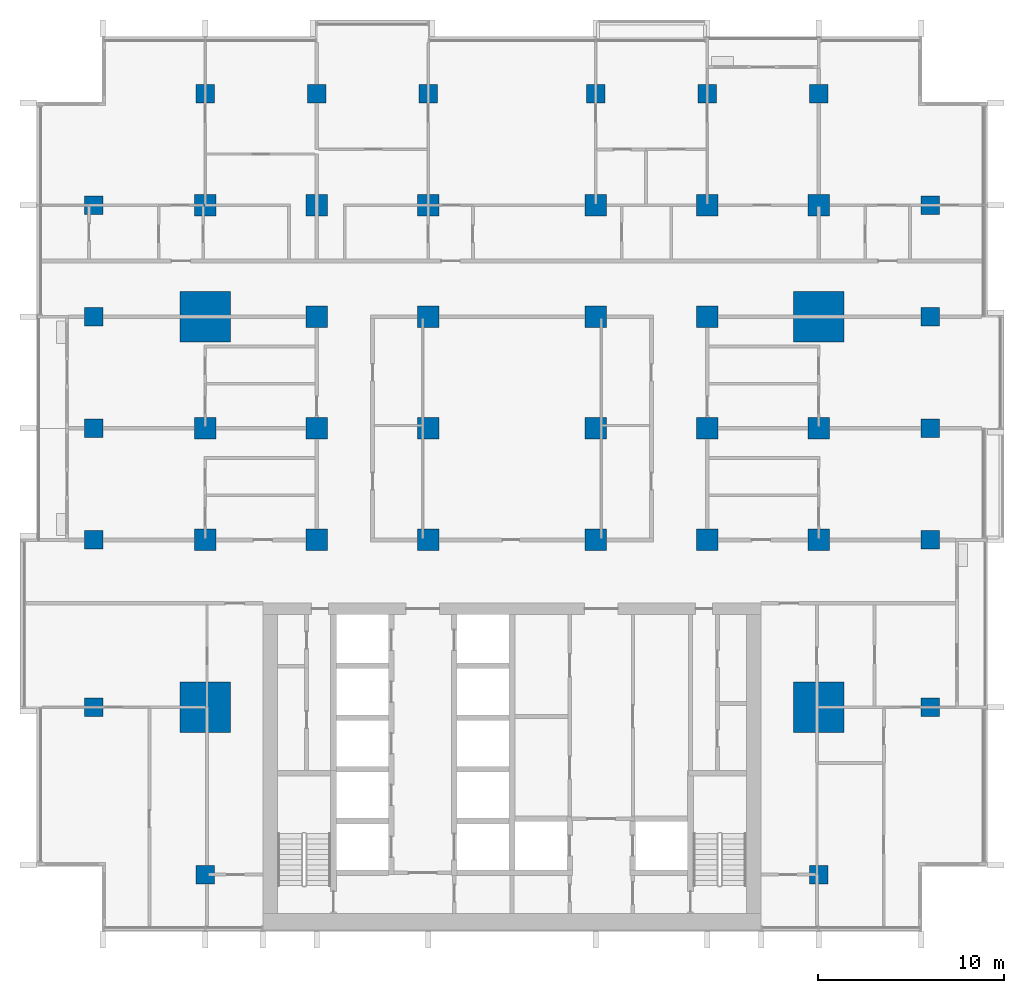
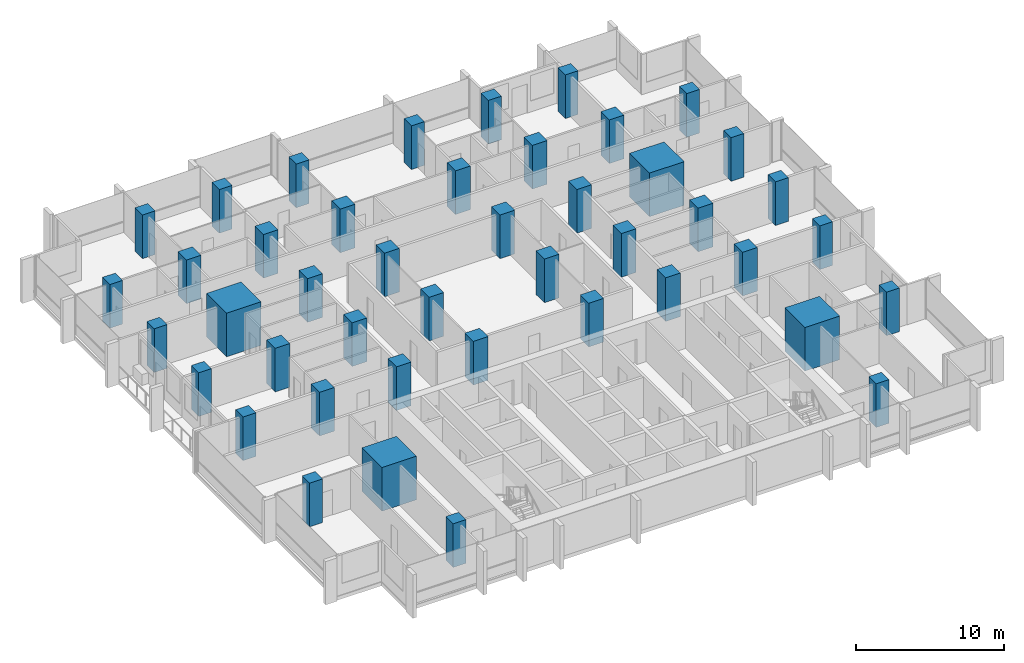
# One storey, part 1 of 17: 44 columns.
"""IFC4 building model written with IfcOpenShell, lengths in metres."""

import ifcopenshell
import ifcopenshell.guid

model = None  # the IFC model being written
_history = None  # IfcOwnerHistory: only IFC2X3 demands one
_inside = {}  # id of a spatial element -> (the spatial element, [elements in it])
_under = {}  # id of a project, library or spatial element -> (it, [spatial elements below it])
_declared = {}  # id of a project -> (the project, [libraries it declares])
_typed = {}  # id of a type object -> (the type object, [elements of that type])
_made_of = {}  # id of a material, layer set ... -> (it, [elements and type objects made of it])


def new_model(schema):
    """Start an empty IFC model of exactly this schema.

    Asked for "IFC4X3", IfcOpenShell would pick the latest addendum, in which some entities
    have other attributes; the version numbers below select the first issue.
    IFC2X3 requires an IfcOwnerHistory on every rooted entity: one is made here for all.
    """
    global model, _history
    if schema == "IFC4X3":
        model = ifcopenshell.file(schema_version=(4, 3, 0, 0))
    else:
        model = ifcopenshell.file(schema=schema)
    _inside.clear()
    _under.clear()
    _declared.clear()
    _typed.clear()
    _made_of.clear()
    _history = None
    if model.schema == "IFC2X3":
        org = make("IfcOrganization", Name="unknown")
        user = make(
            "IfcPersonAndOrganization",
            ThePerson=make("IfcPerson", FamilyName="unknown"),
            TheOrganization=org,
        )
        app = make(
            "IfcApplication",
            ApplicationDeveloper=org,
            Version="unknown",
            ApplicationFullName="unknown",
            ApplicationIdentifier="unknown",
        )
        _history = make(
            "IfcOwnerHistory",
            OwningUser=user,
            OwningApplication=app,
            ChangeAction="ADDED",
            CreationDate=0,
        )
    return model


def make(cls, **values):
    """One entity of the class cls with the attributes given. An attribute that is None is left unset."""
    return model.create_entity(
        cls, **{name: value for name, value in values.items() if value is not None}
    )


def rooted(cls, **values):
    """An entity with a GlobalId (a new one), such as an element, a storey or a relation."""
    return make(cls, GlobalId=ifcopenshell.guid.new(), OwnerHistory=_history, **values)


def si_unit(unit_type, name, prefix=None):
    """IfcSIUnit, for example si_unit("LENGTHUNIT", "METRE", prefix="MILLI")."""
    return make("IfcSIUnit", UnitType=unit_type, Prefix=prefix, Name=name)


def assignment(units):
    """IfcUnitAssignment: the units of a project."""
    return None if units is None else make("IfcUnitAssignment", Units=units)


def point(xyz):
    """IfcCartesianPoint."""
    return None if xyz is None else make("IfcCartesianPoint", Coordinates=xyz)


def direction(xyz):
    """IfcDirection."""
    return None if xyz is None else make("IfcDirection", DirectionRatios=xyz)


def frame(location, z_axis=None, x_axis=None):
    """IfcAxis2Placement3D, a coordinate frame: its origin and axes. An axis left out is left unset."""
    return make(
        "IfcAxis2Placement3D",
        Location=point(location),
        Axis=direction(z_axis),
        RefDirection=direction(x_axis),
    )


def frame_2d(location, x_axis=None):
    """IfcAxis2Placement2D, a coordinate frame in the plane: its origin and x axis."""
    return make(
        "IfcAxis2Placement2D", Location=point(location), RefDirection=direction(x_axis)
    )


def origin():
    """The frame at (0, 0, 0) with its axes left unset."""
    return frame((0.0, 0.0, 0.0))


def origin_2d():
    """The frame at (0, 0) in the plane with its x axis left unset."""
    return frame_2d((0.0, 0.0))


def place(relative_to, where):
    """IfcLocalPlacement: puts the frame where relative to a parent placement (None: the world)."""
    return make(
        "IfcLocalPlacement", PlacementRelTo=relative_to, RelativePlacement=where
    )


def context(
    kind, dimensions, precision=None, world=None, true_north=None, identifier=None
):
    """IfcGeometricRepresentationContext, for example the 3D "Model" context."""
    return make(
        "IfcGeometricRepresentationContext",
        ContextIdentifier=identifier,
        ContextType=kind,
        CoordinateSpaceDimension=dimensions,
        Precision=precision,
        WorldCoordinateSystem=world,
        TrueNorth=true_north,
    )


def subcontext(parent, identifier, kind, view, scale=None):
    """IfcGeometricRepresentationSubContext, for example "Body" below "Model"."""
    return make(
        "IfcGeometricRepresentationSubContext",
        ContextIdentifier=identifier,
        ContextType=kind,
        ParentContext=parent,
        TargetScale=scale,
        TargetView=view,
    )


def project(units=None, contexts=None):
    """IfcProject with its units and contexts."""
    return rooted(
        "IfcProject",
        Name="project",
        RepresentationContexts=contexts,
        UnitsInContext=assignment(units),
    )


def spatial(cls, under=None, at=None, **own):
    """A site, building, storey or space (cls), placed at a placement, below another one or the project."""
    s = rooted(cls, ObjectPlacement=at, **own)
    if under is not None:
        _under.setdefault(under.id(), (under, []))[1].append(s)
    return s


def profile(cls, at=None, kind="AREA", **sizes):
    """A parametric profile (cls). Its sizes go by their IFC names, for example OverallWidth=200.0."""
    return make(cls, ProfileType=kind, Position=at, **sizes)


def rectangle(**sizes):
    """IfcRectangleProfileDef."""
    return profile("IfcRectangleProfileDef", **sizes)


def extrude(swept, where, along, depth):
    """IfcExtrudedAreaSolid: the profile swept, set in the frame where, extruded along a direction by depth."""
    return make(
        "IfcExtrudedAreaSolid",
        SweptArea=swept,
        Position=where,
        ExtrudedDirection=direction(along),
        Depth=depth,
    )


def shape(context_of_items, identifier, shape_type, items):
    """IfcShapeRepresentation: the items that make up one representation, for example the "Body"."""
    return make(
        "IfcShapeRepresentation",
        ContextOfItems=context_of_items,
        RepresentationIdentifier=identifier,
        RepresentationType=shape_type,
        Items=items,
    )


def material(Name=None, Category=None):
    """IfcMaterial."""
    return make("IfcMaterial", Name=Name, Category=Category)


def material_profile(
    of_material, cross_section, Name=None, Category=None, Priority=None
):
    """IfcMaterialProfile: a cross section and its material."""
    return make(
        "IfcMaterialProfile",
        Name=Name,
        Material=of_material,
        Profile=cross_section,
        Priority=Priority,
        Category=Category,
    )


def profile_set(profiles, Name=None, composite=None):
    """IfcMaterialProfileSet."""
    return make(
        "IfcMaterialProfileSet",
        Name=Name,
        MaterialProfiles=profiles,
        CompositeProfile=composite,
    )


def made_of(thing, what):
    """Note that an element or type object is made of a material, layer set ...; save() writes the relation."""
    if what is not None:
        _made_of.setdefault(what.id(), (what, []))[1].append(thing)
    return thing


def type_object(cls, material=None, **own):
    """A type object (cls), such as IfcWallType, which elements share."""
    return made_of(rooted(cls, **own), material)


def element(
    cls,
    number,
    at=None,
    inside=None,
    cuts=None,
    type_object=None,
    material=None,
    context=None,
    identifier="Body",
    shape_type=None,
    held_by="IfcProductDefinitionShape",
    body=None,
    shapes=None,
    **own,
):
    """One element of the class cls, such as IfcWall. Its Tag is "e" and its number.

    at: its placement. inside: the storey or other place that contains it. cuts: it is an
    opening in that element (IfcRelVoidsElement). A single representation is given by context,
    identifier, shape_type and body (its items); several are given by shapes. held_by: the class
    of the entity that holds the representations. save() writes the other relations.
    """
    e = rooted(cls, Tag="e%d" % number, ObjectPlacement=at, **own)
    if body is not None:
        shapes = [shape(context, identifier, shape_type, body)]
    if shapes is not None:
        e.Representation = make(held_by, Representations=shapes)
    if inside is not None:
        _inside.setdefault(inside.id(), (inside, []))[1].append(e)
    if cuts is not None:
        rooted(
            "IfcRelVoidsElement", RelatingBuildingElement=cuts, RelatedOpeningElement=e
        )
    if type_object is not None:
        _typed.setdefault(type_object.id(), (type_object, []))[1].append(e)
    return made_of(e, material)


def aggregate(whole, parts):
    """IfcRelAggregates: a whole, such as a stair, and the parts it consists of."""
    return rooted("IfcRelAggregates", RelatingObject=whole, RelatedObjects=parts)


def save(model, path):
    """Write the relations noted so far, then the file.

    IfcRelAggregates (storeys below a building ...), IfcRelContainedInSpatialStructure (elements
    in a storey), IfcRelDefinesByType, IfcRelAssociatesMaterial and IfcRelDeclares: one each for
    every whole, place, type object, material and project.
    """
    for whole, parts in _under.values():
        aggregate(whole, parts)
    for where, things in _inside.values():
        rooted(
            "IfcRelContainedInSpatialStructure",
            RelatedElements=things,
            RelatingStructure=where,
        )
    for kind, things in _typed.values():
        rooted("IfcRelDefinesByType", RelatedObjects=things, RelatingType=kind)
    for what, things in _made_of.values():
        rooted("IfcRelAssociatesMaterial", RelatedObjects=things, RelatingMaterial=what)
    for by, libraries in _declared.values():
        rooted("IfcRelDeclares", RelatingContext=by, RelatedDefinitions=libraries)
    model.write(path)


model = new_model("IFC4")

# Units and contexts
model_context = context("Model", 3, precision=1e-05, world=origin(), true_north=direction((0.0, 1.0)))
body_context = subcontext(model_context, "Body", "Model", "MODEL_VIEW")
ifc_project = project(units=[si_unit("LENGTHUNIT", "METRE"), si_unit("AREAUNIT", "SQUARE_METRE"), si_unit("VOLUMEUNIT", "CUBIC_METRE"), si_unit("PLANEANGLEUNIT", "RADIAN"), si_unit("MASSUNIT", "GRAM", prefix="KILO")], contexts=[model_context])

# Site, building, storey
site_placement = place(None, origin())
site = spatial("IfcSite", under=ifc_project, at=site_placement, CompositionType="ELEMENT")
building_placement = place(site_placement, origin())
building = spatial("IfcBuilding", under=site, at=building_placement, Name="Finial Court Residences", CompositionType="ELEMENT")
storey_placement = place(building_placement, frame((0.0, 0.0, 102.699951171875)))
storey = spatial("IfcBuildingStorey", under=building, at=storey_placement, Name="L25", CompositionType="ELEMENT", Elevation=102.699951171875)

# Columns
ifc_material = material(Name="Concrete C70/85", Category="concrete")
ifc_material_profile_1 = material_profile(ifc_material, rectangle(XDim=1.14990234375, YDim=1.14990234375, at=origin_2d()), Name="1150x1150")
ifc_profile_set_1 = profile_set([ifc_material_profile_1], Name="Concrete C70/85")
column_type_1 = type_object("IfcColumnType", Name="Interior column 1150x1150 Concrete C70/85", PredefinedType="COLUMN", material=ifc_profile_set_1)
for number, where, z_axis, x_axis, name in (
    (1, (-16.5, -4.5, 0.0), (0.0, 0.0, 1.0), (1.0, 0.0, 0.0), "S:COL:L25:C4"),
    (2, (-16.5, 1.5, 0.0), (0.0, 0.0, 1.0), (1.0, 0.0, 0.0), "S:COL:L25:C5"),
    (3, (-16.5, 13.5, 0.0), (0.0, 0.0, 1.0), (1.0, 0.0, 0.0), "S:COL:L25:C7"),
    (4, (-10.5, -4.5, 0.0), (0.0, 0.0, 1.0), (1.0, 0.0, 0.0), "S:COL:L25:D4"),
    (5, (-10.5, 1.5, 0.0), (0.0, 0.0, 1.0), (1.0, 0.0, 0.0), "S:COL:L25:D5"),
    (6, (-10.5, 7.5, 0.0), (0.0, 0.0, 1.0), (1.0, 0.0, 0.0), "S:COL:L25:D6"),
    (7, (-10.5, 13.5, 0.0), (0.0, 0.0, 1.0), (1.0, 0.0, 0.0), "S:COL:L25:D7"),
    (8, (-4.5, -4.5, 0.0), (0.0, 0.0, 1.0), (1.0, 0.0, 0.0), "S:COL:L25:E4"),
    (9, (-4.5, 1.5, 0.0), (0.0, 0.0, 1.0), (1.0, 0.0, 0.0), "S:COL:L25:E5"),
    (10, (-4.5, 7.5, 0.0), (0.0, 0.0, 1.0), (1.0, 0.0, 0.0), "S:COL:L25:E6"),
    (11, (-4.5, 13.5, 0.0), (0.0, 0.0, 1.0), (1.0, 0.0, 0.0), "S:COL:L25:E7"),
    (12, (4.5, -4.5, 0.0), (0.0, 0.0, 1.0), (1.0, 0.0, 0.0), "S:COL:L25:F4"),
    (13, (4.5, 1.5, 0.0), (0.0, 0.0, 1.0), (1.0, 0.0, 0.0), "S:COL:L25:F5"),
    (14, (4.5, 7.5, 0.0), (0.0, 0.0, 1.0), (1.0, 0.0, 0.0), "S:COL:L25:F6"),
    (15, (4.5, 13.5, 0.0), (0.0, 0.0, 1.0), (1.0, 0.0, 0.0), "S:COL:L25:F7"),
    (16, (10.5, -4.5, 0.0), (0.0, 0.0, 1.0), (1.0, 0.0, 0.0), "S:COL:L25:G4"),
    (17, (10.5, 1.5, 0.0), (0.0, 0.0, 1.0), (1.0, 0.0, 0.0), "S:COL:L25:G5"),
    (18, (10.5, 7.5, 0.0), (0.0, 0.0, 1.0), (1.0, 0.0, 0.0), "S:COL:L25:G6"),
    (19, (10.5, 13.5, 0.0), (0.0, 0.0, 1.0), (1.0, 0.0, 0.0), "S:COL:L25:G7"),
    (20, (16.5, -4.5, 0.0), (0.0, 0.0, 1.0), (1.0, 0.0, 0.0), "S:COL:L25:H4"),
    (21, (16.5, 1.5, 0.0), (0.0, 0.0, 1.0), (1.0, 0.0, 0.0), "S:COL:L25:H5"),
    (22, (16.5, 13.5, 0.0), (0.0, 0.0, 1.0), (1.0, 0.0, 0.0), "S:COL:L25:H7"),
):
    element("IfcColumn", number, at=place(storey_placement, frame(where, z_axis=z_axis, x_axis=x_axis)), inside=storey, type_object=column_type_1, Name=name, PredefinedType="COLUMN", context=body_context, shape_type="SweptSolid", body=[
        extrude(rectangle(XDim=1.14990234375, YDim=1.14990234375, at=origin_2d()), origin(), (0.0, 0.0, 1.0), 3.60009765625),
    ])
ifc_material_profile_2 = material_profile(ifc_material, rectangle(XDim=2.699951171875, YDim=2.699951171875, at=origin_2d()), Name="2700x2700")
ifc_profile_set_2 = profile_set([ifc_material_profile_2], Name="Concrete C70/85")
column_type_2 = type_object("IfcColumnType", Name="Mega column 2700x2700 Concrete C70/85", PredefinedType="COLUMN", material=ifc_profile_set_2)
for number, where, z_axis, x_axis, name in (
    (23, (-16.5, -13.5, 0.0), (0.0, 0.0, 1.0), (1.0, 0.0, 0.0), "S:COL:L25:C3"),
    (24, (-16.5, 7.5, 0.0), (0.0, 0.0, 1.0), (1.0, 0.0, 0.0), "S:COL:L25:C6"),
    (25, (16.5, -13.5, 0.0), (0.0, 0.0, 1.0), (1.0, 0.0, 0.0), "S:COL:L25:H3"),
    (26, (16.5, 7.5, 0.0), (0.0, 0.0, 1.0), (1.0, 0.0, 0.0), "S:COL:L25:H6"),
):
    element("IfcColumn", number, at=place(storey_placement, frame(where, z_axis=z_axis, x_axis=x_axis)), inside=storey, type_object=column_type_2, Name=name, PredefinedType="COLUMN", context=body_context, shape_type="SweptSolid", body=[
        extrude(rectangle(XDim=2.699951171875, YDim=2.699951171875, at=origin_2d()), origin(), (0.0, 0.0, 1.0), 3.60009765625),
    ])
ifc_material_profile_3 = material_profile(ifc_material, rectangle(XDim=1.0, YDim=1.0, at=origin_2d()), Name="1000x1000")
ifc_profile_set_3 = profile_set([ifc_material_profile_3], Name="Concrete C70/85")
column_type_3 = type_object("IfcColumnType", Name="Perimeter column 1000x1000 Concrete C70/85", PredefinedType="COLUMN", material=ifc_profile_set_3)
for number, where, z_axis, x_axis, name in (
    (27, (-22.5, -13.5, 0.0), (0.0, 0.0, 1.0), (1.0, 0.0, 0.0), "S:COL:L25:B3"),
    (28, (-22.5, -4.5, 0.0), (0.0, 0.0, 1.0), (1.0, 0.0, 0.0), "S:COL:L25:B4"),
    (29, (-22.5, 1.5, 0.0), (0.0, 0.0, 1.0), (1.0, 0.0, 0.0), "S:COL:L25:B5"),
    (30, (-22.5, 7.5, 0.0), (0.0, 0.0, 1.0), (1.0, 0.0, 0.0), "S:COL:L25:B6"),
    (31, (-22.5, 13.5, 0.0), (0.0, 0.0, 1.0), (1.0, 0.0, 0.0), "S:COL:L25:B7"),
    (32, (-16.5, -22.5, 0.0), (0.0, 0.0, 1.0), (1.0, 0.0, 0.0), "S:COL:L25:C2"),
    (33, (-16.5, 19.5, 0.0), (0.0, 0.0, 1.0), (1.0, 0.0, 0.0), "S:COL:L25:C8"),
    (34, (-10.5, 19.5, 0.0), (0.0, 0.0, 1.0), (1.0, 0.0, 0.0), "S:COL:L25:D8"),
    (35, (-4.5, 19.5, 0.0), (0.0, 0.0, 1.0), (1.0, 0.0, 0.0), "S:COL:L25:E8"),
    (36, (4.5, 19.5, 0.0), (0.0, 0.0, 1.0), (1.0, 0.0, 0.0), "S:COL:L25:F8"),
    (37, (10.5, 19.5, 0.0), (0.0, 0.0, 1.0), (1.0, 0.0, 0.0), "S:COL:L25:G8"),
    (38, (16.5, -22.5, 0.0), (0.0, 0.0, 1.0), (1.0, 0.0, 0.0), "S:COL:L25:H2"),
    (39, (16.5, 19.5, 0.0), (0.0, 0.0, 1.0), (1.0, 0.0, 0.0), "S:COL:L25:H8"),
    (40, (22.5, -13.5, 0.0), (0.0, 0.0, 1.0), (1.0, 0.0, 0.0), "S:COL:L25:I3"),
    (41, (22.5, -4.5, 0.0), (0.0, 0.0, 1.0), (1.0, 0.0, 0.0), "S:COL:L25:I4"),
    (42, (22.5, 1.5, 0.0), (0.0, 0.0, 1.0), (1.0, 0.0, 0.0), "S:COL:L25:I5"),
    (43, (22.5, 7.5, 0.0), (0.0, 0.0, 1.0), (1.0, 0.0, 0.0), "S:COL:L25:I6"),
    (44, (22.5, 13.5, 0.0), (0.0, 0.0, 1.0), (1.0, 0.0, 0.0), "S:COL:L25:I7"),
):
    element("IfcColumn", number, at=place(storey_placement, frame(where, z_axis=z_axis, x_axis=x_axis)), inside=storey, type_object=column_type_3, Name=name, PredefinedType="COLUMN", context=body_context, shape_type="SweptSolid", body=[
        extrude(rectangle(XDim=1.0, YDim=1.0, at=origin_2d()), origin(), (0.0, 0.0, 1.0), 3.60009765625),
    ])

save(model, "model.ifc")
